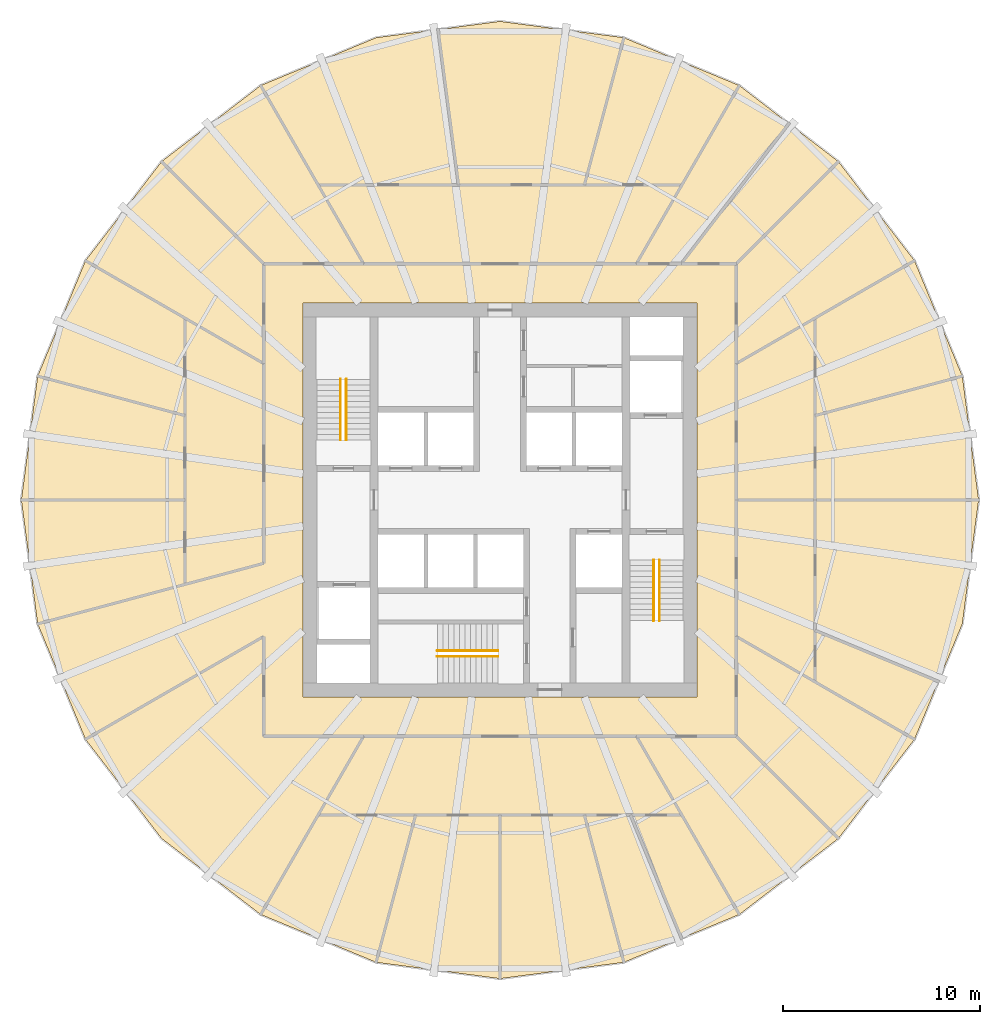
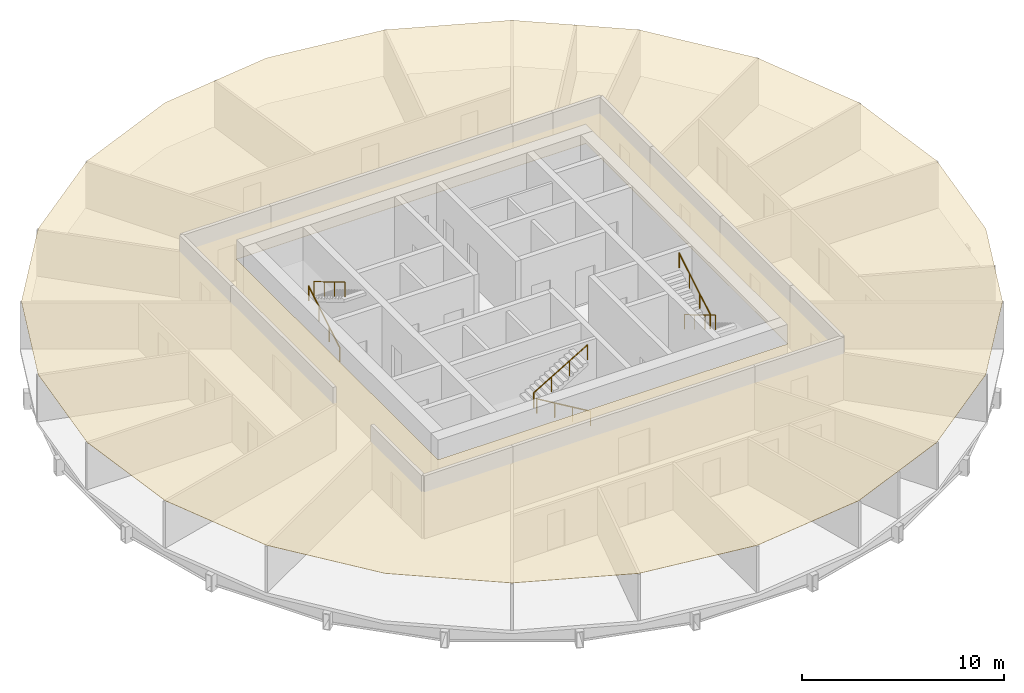
# One storey, part 6 of 6: 6 railings, 1 covering.
"""IFC4 building model written with IfcOpenShell, lengths in metres."""

from ifc_helpers import new_model, si_unit, direction, frame, origin, origin_2d, place, context, subcontext, project, spatial, polyline, circle, outline, extrude, material, layer, layer_set, type_object, element, save


model = new_model("IFC4")

# Units and contexts
model_context = context("Model", 3, precision=1e-05, world=origin(), true_north=direction((0.0, 1.0)))
body_context = subcontext(model_context, "Body", "Model", "MODEL_VIEW")
ifc_project = project(units=[si_unit("LENGTHUNIT", "METRE"), si_unit("AREAUNIT", "SQUARE_METRE"), si_unit("VOLUMEUNIT", "CUBIC_METRE"), si_unit("PLANEANGLEUNIT", "RADIAN"), si_unit("MASSUNIT", "GRAM", prefix="KILO")], contexts=[model_context])

# Site, building, storey
site_placement = place(None, origin())
site = spatial("IfcSite", under=ifc_project, at=site_placement, CompositionType="ELEMENT")
building_placement = place(site_placement, origin())
building = spatial("IfcBuilding", under=site, at=building_placement, Name="Golbaran Civic Tower", CompositionType="ELEMENT")
storey_placement = place(building_placement, frame((0.0, 0.0, 94.0)))
storey = spatial("IfcBuildingStorey", under=building, at=storey_placement, Name="L22", CompositionType="ELEMENT", Elevation=94.0)

# Railings
ifc_material_1 = material(Name="Stainless steel", Category="steel")
railing_type = type_object("IfcRailingType", Name="STAIR HANDRAIL 900", PredefinedType="HANDRAIL", material=ifc_material_1)
railing_1_placement = place(storey_placement, frame((-8.10009765625, 3.050048828125, 0.166748046875)))
element("IfcRailing", 1, at=railing_1_placement, inside=storey, type_object=railing_type, Name="Stair S1 handrail flight 1 L22", PredefinedType="HANDRAIL", context=body_context, shape_type="SweptSolid", body=[
    extrude(circle(Radius=0.02392578125, at=origin_2d()), frame((0.0, 0.0, 0.8759765625), z_axis=(0.0, 0.859290745958, 0.51148745235), x_axis=(-1.0, 0.0, 0.0)), (0.0, 0.0, 1.0), 3.584228515625),
    extrude(circle(Radius=0.02099609375, at=origin_2d()), origin(), (0.0, 0.0, 1.0), 0.851806640625),
    extrude(circle(Radius=0.02099609375, at=origin_2d()), frame((0.0, 1.026611328125, 0.611083984375)), (0.0, 0.0, 1.0), 0.851806640625),
    extrude(circle(Radius=0.02099609375, at=origin_2d()), frame((0.0, 2.05322265625, 1.22216796875)), (0.0, 0.0, 1.0), 0.851806640625),
    extrude(circle(Radius=0.02099609375, at=origin_2d()), frame((0.0, 3.079833984375, 1.833251953125)), (0.0, 0.0, 1.0), 0.851806640625),
])
for number, where, name in (
    (2, (-7.800048828125, 6.1298828125, 2.166748046875), "Stair S1 handrail flight 2 L22"),
    (3, (8.10009765625, -3.050048828125, 0.166748046875), "Stair S2 handrail flight 1 L22"),
):
    element("IfcRailing", number, at=place(storey_placement, frame(where)), inside=storey, type_object=railing_type, Name=name, PredefinedType="HANDRAIL", context=body_context, shape_type="SweptSolid", body=[
        extrude(circle(Radius=0.02392578125, at=origin_2d()), frame((0.0, 0.0, 0.8759765625), z_axis=(0.0, -0.859290745958, 0.51148745235), x_axis=(1.0, 0.0, 0.0)), (0.0, 0.0, 1.0), 3.584228515625),
        extrude(circle(Radius=0.02099609375, at=origin_2d()), origin(), (0.0, 0.0, 1.0), 0.851806640625),
        extrude(circle(Radius=0.02099609375, at=origin_2d()), frame((0.0, -1.026611328125, 0.611083984375)), (0.0, 0.0, 1.0), 0.851806640625),
        extrude(circle(Radius=0.02099609375, at=origin_2d()), frame((0.0, -2.05322265625, 1.22216796875)), (0.0, 0.0, 1.0), 0.851806640625),
        extrude(circle(Radius=0.02099609375, at=origin_2d()), frame((0.0, -3.079833984375, 1.833251953125)), (0.0, 0.0, 1.0), 0.851806640625),
    ])
railing_2_placement = place(storey_placement, frame((7.800048828125, -6.1298828125, 2.166748046875)))
element("IfcRailing", 4, at=railing_2_placement, inside=storey, type_object=railing_type, Name="Stair S2 handrail flight 2 L22", PredefinedType="HANDRAIL", context=body_context, shape_type="SweptSolid", body=[
    extrude(circle(Radius=0.02392578125, at=origin_2d()), frame((0.0, 0.0, 0.8759765625), z_axis=(0.0, 0.859290745958, 0.51148745235), x_axis=(-1.0, 0.0, 0.0)), (0.0, 0.0, 1.0), 3.584228515625),
    extrude(circle(Radius=0.02099609375, at=origin_2d()), origin(), (0.0, 0.0, 1.0), 0.851806640625),
    extrude(circle(Radius=0.02099609375, at=origin_2d()), frame((0.0, 1.026611328125, 0.611083984375)), (0.0, 0.0, 1.0), 0.851806640625),
    extrude(circle(Radius=0.02099609375, at=origin_2d()), frame((0.0, 2.05322265625, 1.22216796875)), (0.0, 0.0, 1.0), 0.851806640625),
    extrude(circle(Radius=0.02099609375, at=origin_2d()), frame((0.0, 3.079833984375, 1.833251953125)), (0.0, 0.0, 1.0), 0.851806640625),
])
railing_3_placement = place(storey_placement, frame((-0.10009765625, -7.949951171875, 0.166748046875)))
element("IfcRailing", 5, at=railing_3_placement, inside=storey, type_object=railing_type, Name="Stair S3 handrail flight 1 L22", PredefinedType="HANDRAIL", context=body_context, shape_type="SweptSolid", body=[
    extrude(circle(Radius=0.02392578125, at=origin_2d()), frame((0.0, 0.0, 0.8759765625), z_axis=(-0.859290745958, 0.0, 0.51148745235), x_axis=(0.0, -1.0, 0.0)), (0.0, 0.0, 1.0), 3.584228515625),
    extrude(circle(Radius=0.02099609375, at=origin_2d()), origin(), (0.0, 0.0, 1.0), 0.851806640625),
    extrude(circle(Radius=0.02099609375, at=origin_2d()), frame((-1.026611328125, 0.0, 0.611083984375)), (0.0, 0.0, 1.0), 0.851806640625),
    extrude(circle(Radius=0.02099609375, at=origin_2d()), frame((-2.05322265625, 0.0, 1.22216796875)), (0.0, 0.0, 1.0), 0.851806640625),
    extrude(circle(Radius=0.02099609375, at=origin_2d()), frame((-3.079833984375, 0.0, 1.833251953125)), (0.0, 0.0, 1.0), 0.851806640625),
])
railing_4_placement = place(storey_placement, frame((-3.179931640625, -7.64990234375, 2.166748046875)))
element("IfcRailing", 6, at=railing_4_placement, inside=storey, type_object=railing_type, Name="Stair S3 handrail flight 2 L22", PredefinedType="HANDRAIL", context=body_context, shape_type="SweptSolid", body=[
    extrude(circle(Radius=0.02392578125, at=origin_2d()), frame((0.0, 0.0, 0.8759765625), z_axis=(0.859290745958, 0.0, 0.51148745235), x_axis=(0.0, 1.0, 0.0)), (0.0, 0.0, 1.0), 3.584228515625),
    extrude(circle(Radius=0.02099609375, at=origin_2d()), origin(), (0.0, 0.0, 1.0), 0.851806640625),
    extrude(circle(Radius=0.02099609375, at=origin_2d()), frame((1.026611328125, 0.0, 0.611083984375)), (0.0, 0.0, 1.0), 0.851806640625),
    extrude(circle(Radius=0.02099609375, at=origin_2d()), frame((2.05322265625, 0.0, 1.22216796875)), (0.0, 0.0, 1.0), 0.851806640625),
    extrude(circle(Radius=0.02099609375, at=origin_2d()), frame((3.079833984375, 0.0, 1.833251953125)), (0.0, 0.0, 1.0), 0.851806640625),
])

# Covering
ifc_material_2 = material(Name="Mineral fibre tile on steel grid", Category="steel")
ifc_layer = layer(ifc_material_2, 0.02001953125, Name="Mineral fibre tile on steel grid")
ifc_layer_set = layer_set([ifc_layer], Name="Mineral fibre tile on steel grid")
covering_type = type_object("IfcCoveringType", Name="SUSPENDED CEILING 600 TILE 20", PredefinedType="CEILING", material=ifc_layer_set)
covering_placement = place(storey_placement, frame((0.0, 0.0, 2.800048828125)))
element("IfcCovering", 7, at=covering_placement, inside=storey, type_object=covering_type, Name="Suspended ceiling L22", PredefinedType="CEILING", context=body_context, shape_type="SweptSolid", body=[
    extrude(outline(polyline([(-17.1904296875, 17.1904296875), (-12.155517578125, 21.053955078125), (-6.292236328125, 23.482666015625), (0.0, 24.31103515625), (6.292236328125, 23.482666015625), (12.155517578125, 21.053955078125), (17.1904296875, 17.1904296875), (21.053955078125, 12.155517578125), (23.482666015625, 6.292236328125), (24.31103515625, 0.0), (23.482666015625, -6.292236328125), (21.053955078125, -12.155517578125), (17.1904296875, -17.1904296875), (12.155517578125, -21.053955078125), (6.292236328125, -23.482666015625), (0.0, -24.31103515625), (-6.292236328125, -23.482666015625), (-12.155517578125, -21.053955078125), (-17.1904296875, -17.1904296875), (-21.053955078125, -12.155517578125), (-23.482666015625, -6.292236328125), (-24.31103515625, 0.0), (-23.482666015625, 6.292236328125), (-21.053955078125, 12.155517578125), (-17.1904296875, 17.1904296875)]), holes=[polyline([(-10.0, 10.0), (-10.0, -10.0), (10.0, -10.0), (10.0, 10.0), (-10.0, 10.0)])]), origin(), (0.0, 0.0, 1.0), 0.02001953125),
])

save(model, "model.ifc")
